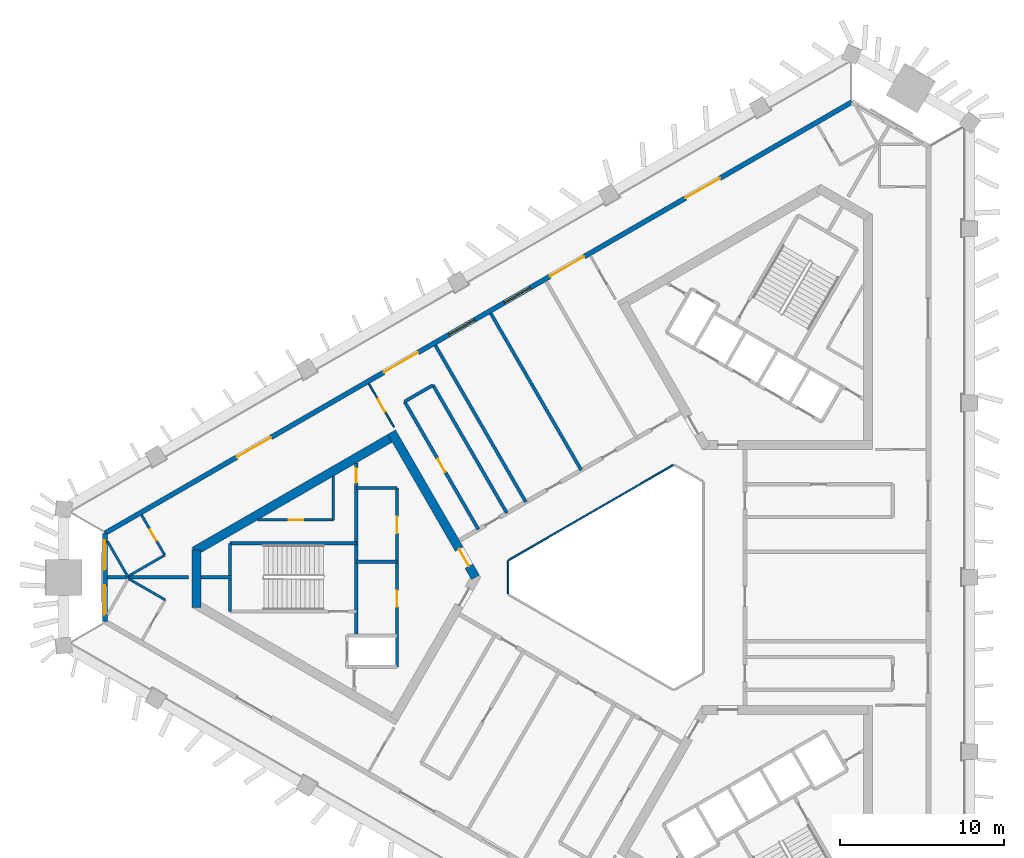
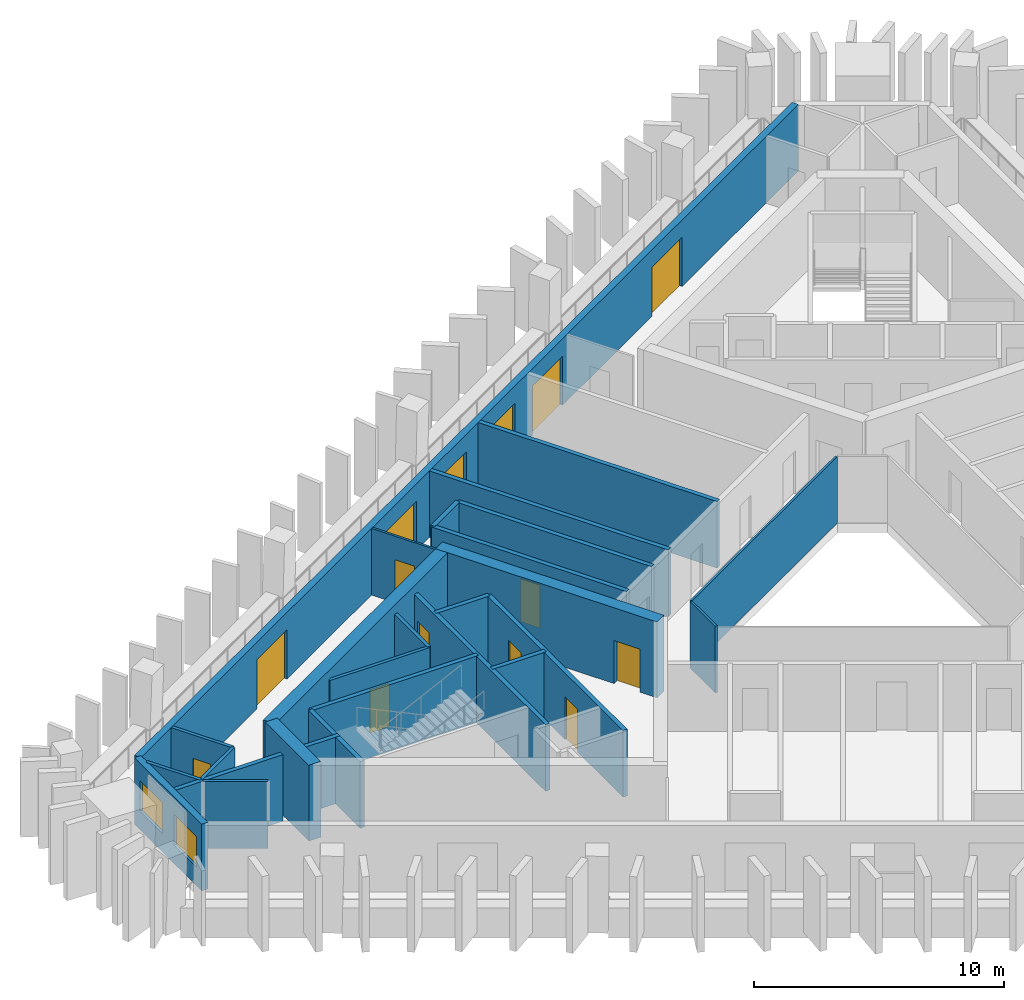
# One storey, part 4 of 9: 27 walls, 12 doors, 4 windows, 16 openings.
"""IFC4 building model written with IfcOpenShell, lengths in metres."""

from ifc_helpers import new_model, si_unit, direction, frame, frame_2d, origin, place, context, subcontext, project, spatial, rectangle, extrude, material, layer, layer_set, type_object, element, fill, save


model = new_model("IFC4")

# Units and contexts
model_context = context("Model", 3, precision=1e-05, world=origin(), true_north=direction((0.0, 1.0)))
body_context = subcontext(model_context, "Body", "Model", "MODEL_VIEW")
ifc_project = project(units=[si_unit("LENGTHUNIT", "METRE"), si_unit("AREAUNIT", "SQUARE_METRE"), si_unit("VOLUMEUNIT", "CUBIC_METRE"), si_unit("PLANEANGLEUNIT", "RADIAN"), si_unit("MASSUNIT", "GRAM", prefix="KILO")], contexts=[model_context])

# Site, building, storey
site_placement = place(None, origin())
site = spatial("IfcSite", under=ifc_project, at=site_placement, CompositionType="ELEMENT")
building_placement = place(site_placement, origin())
building = spatial("IfcBuilding", under=site, at=building_placement, Name="Jabali Bay Hotel Tower and Convention Centre", CompositionType="ELEMENT")
storey_placement = place(building_placement, frame((0.0, 0.0, 189.60009765625)))
storey = spatial("IfcBuildingStorey", under=building, at=storey_placement, Name="L46", CompositionType="ELEMENT", Elevation=189.60009765625)

# Walls
ifc_material_1 = material(Name="Fire-resistant glazing", Category="glass")
ifc_layer_1 = layer(ifc_material_1, 0.10009765625)
ifc_layer_set_1 = layer_set([ifc_layer_1], Name="Fire-resistant glazing")
wall_type_1 = type_object("IfcWallType", Name="Atrium glazed screen 100", PredefinedType="PARTITIONING", material=ifc_layer_set_1)
wall_1_placement = place(storey_placement, frame((77.738037109375, 86.84619140625, 0.0), z_axis=(0.0, 0.0, 1.0), x_axis=(-0.866026658274, -0.499997827154, 0.0)))
element("IfcWall", 1, at=wall_1_placement, inside=storey, type_object=wall_type_1, Name="Atrium screen 3 L46", PredefinedType="PARTITIONING", context=body_context, shape_type="SweptSolid", body=[
    extrude(rectangle(XDim=11.58837890625, YDim=0.10009765625, at=frame_2d((5.794189453125, 0.0))), origin(), (0.0, 0.0, 1.0), 3.25),
])
wall_2_placement = place(storey_placement, frame((67.672119140625, 81.0, 0.0), z_axis=(0.0, 0.0, 1.0), x_axis=(0.0, -1.0, 0.0)))
element("IfcWall", 2, at=wall_2_placement, inside=storey, type_object=wall_type_1, Name="Atrium screen 4 L46", PredefinedType="PARTITIONING", context=body_context, shape_type="SweptSolid", body=[
    extrude(rectangle(XDim=2.0, YDim=0.10009765625, at=frame_2d((1.0, 0.0))), origin(), (0.0, 0.0, 1.0), 3.25),
])
ifc_material_2 = material(Name="Concrete C40", Category="concrete")
ifc_layer_2 = layer(ifc_material_2, 0.199951171875)
ifc_layer_set_2 = layer_set([ifc_layer_2], Name="Concrete C40")
wall_type_2 = type_object("IfcWallType", Name="Core partition wall 200", PredefinedType="PARTITIONING", material=ifc_layer_set_2)
wall_3_placement = place(storey_placement, frame((50.820068359375, 80.0, 0.0), z_axis=(0.0, 0.0, 1.0), x_axis=(-1.0, 0.0, 0.0)))
element("IfcWall", 3, at=wall_3_placement, inside=storey, type_object=wall_type_2, Name="Core wall 0.4 L46", PredefinedType="PARTITIONING", context=body_context, shape_type="SweptSolid", body=[
    extrude(rectangle(XDim=1.873046875, YDim=0.199951171875, at=frame_2d((0.9365234375, 0.0))), origin(), (0.0, 0.0, 1.0), 3.25),
])

# Wall, opening, door
ifc_material_3 = material(Name="Fire-rated board partition")
ifc_layer_3 = layer(ifc_material_3, 0.14990234375)
ifc_layer_set_3 = layer_set([ifc_layer_3], Name="Fire-rated board partition")
wall_type_3 = type_object("IfcWallType", Name="Core room partition 150", PredefinedType="PARTITIONING", material=ifc_layer_set_3)
wall_4_placement = place(storey_placement, frame((57.02001953125, 83.5, 0.0), z_axis=(0.0, 0.0, 1.0), x_axis=(-1.0, 0.0, 0.0)))
wall_4 = element("IfcWall", 4, at=wall_4_placement, inside=storey, type_object=wall_type_3, Name="Core wall 0.1 L46", PredefinedType="PARTITIONING", context=body_context, shape_type="SweptSolid", body=[
    extrude(rectangle(XDim=4.617919921875, YDim=0.14990234375, at=frame_2d((2.30908203125, 0.0))), origin(), (0.0, 0.0, 1.0), 3.25),
])
opening_1_placement = place(wall_4_placement, frame((1.83154296875, 0.0, 0.0)))
opening_1 = element("IfcOpeningElement", 5, at=opening_1_placement, cuts=wall_4, Name="Opening D995", PredefinedType="OPENING", context=body_context, shape_type="SweptSolid", body=[
    extrude(rectangle(XDim=0.89990234375, YDim=2.10009765625, at=frame_2d((0.449951171875, 1.050048828125))), frame((0.0, 0.08544921875, 0.0), z_axis=(0.0, -1.0, 0.0), x_axis=(1.0, 0.0, 0.0)), (0.0, 0.0, 1.0), 0.1708984375),
])
ifc_material_4 = material(Name="Fire-rated steel door", Category="steel")
door_type_1 = type_object("IfcDoorType", Name="Core room door 900 x 2100", OperationType="NOTDEFINED", PredefinedType="NOTDEFINED", material=ifc_material_4)
door_1_placement = place(opening_1_placement, origin())
door_1 = element("IfcDoor", 6, at=door_1_placement, inside=storey, type_object=door_type_1, Name="Core room door D995", OperationType="SINGLE_SWING_LEFT", OverallHeight=2.10009765625, OverallWidth=0.89990234375, PredefinedType="NOTDEFINED", context=body_context, shape_type="SweptSolid", body=[
    extrude(rectangle(XDim=0.89990234375, YDim=2.10009765625, at=frame_2d((0.449951171875, 1.050048828125))), frame((0.0, 0.02490234375, 0.0), z_axis=(0.0, -1.0, 0.0), x_axis=(1.0, 0.0, 0.0)), (0.0, 0.0, 1.0), 0.050048828125),
])
fill(opening_1, door_1)

# Walls
wall_5_placement = place(storey_placement, frame((57.02001953125, 86.166015625, 0.0), z_axis=(0.0, 0.0, 1.0), x_axis=(0.0, -1.0, 0.0)))
element("IfcWall", 7, at=wall_5_placement, inside=storey, type_object=wall_type_3, Name="Core wall 0.12 L46", PredefinedType="PARTITIONING", context=body_context, shape_type="SweptSolid", body=[
    extrude(rectangle(XDim=2.666015625, YDim=0.14990234375, at=frame_2d((1.3330078125, 0.0))), origin(), (0.0, 0.0, 1.0), 3.25),
])
ifc_layer_4 = layer(ifc_material_2, 0.199951171875)
ifc_layer_set_4 = layer_set([ifc_layer_4], Name="Concrete C40")
wall_type_4 = type_object("IfcWallType", Name="Core stair wall 200", PredefinedType="SOLIDWALL", material=ifc_layer_set_4)
wall_6_placement = place(storey_placement, frame((60.89990234375, 85.449951171875, 0.0), z_axis=(0.0, 0.0, 1.0), x_axis=(-1.0, 0.0, 0.0)))
element("IfcWall", 8, at=wall_6_placement, inside=storey, type_object=wall_type_4, Name="Core wall 0.0 L46", PredefinedType="SOLIDWALL", context=body_context, shape_type="SweptSolid", body=[
    extrude(rectangle(XDim=2.47998046875, YDim=0.199951171875, at=frame_2d((1.239990234375, 0.0))), origin(), (0.0, 0.0, 1.0), 3.25),
])
wall_7_placement = place(storey_placement, frame((58.419921875, 82.074951171875, 0.0), z_axis=(0.0, 0.0, 1.0), x_axis=(-1.0, 0.0, 0.0)))
element("IfcWall", 9, at=wall_7_placement, inside=storey, type_object=wall_type_4, Name="Core wall 0.2 L46", PredefinedType="SOLIDWALL", context=body_context, shape_type="SweptSolid", body=[
    extrude(rectangle(XDim=7.699951171875, YDim=0.199951171875, at=frame_2d((3.85009765625, 0.0))), origin(), (0.0, 0.0, 1.0), 3.25),
])
wall_8_placement = place(storey_placement, frame((60.89990234375, 80.949951171875, 0.0), z_axis=(0.0, 0.0, 1.0), x_axis=(-1.0, 0.0, 0.0)))
element("IfcWall", 10, at=wall_8_placement, inside=storey, type_object=wall_type_4, Name="Core wall 0.3 L46", PredefinedType="SOLIDWALL", context=body_context, shape_type="SweptSolid", body=[
    extrude(rectangle(XDim=2.47998046875, YDim=0.199951171875, at=frame_2d((1.239990234375, 0.0))), origin(), (0.0, 0.0, 1.0), 3.25),
])

# Wall, openings, doors
wall_9_placement = place(storey_placement, frame((60.89990234375, 85.449951171875, 0.0), z_axis=(0.0, 0.0, 1.0), x_axis=(0.0, -1.0, 0.0)))
wall_9 = element("IfcWall", 11, at=wall_9_placement, inside=storey, type_object=wall_type_4, Name="Core wall 0.8 L46", PredefinedType="SOLIDWALL", context=body_context, shape_type="SweptSolid", body=[
    extrude(rectangle(XDim=10.89990234375, YDim=0.199951171875, at=frame_2d((5.449951171875, 0.0))), origin(), (0.0, 0.0, 1.0), 3.25),
])
opening_2_placement = place(wall_9_placement, frame((1.75, 0.0, 0.0)))
opening_2 = element("IfcOpeningElement", 12, at=opening_2_placement, cuts=wall_9, Name="Opening D990", PredefinedType="OPENING", context=body_context, shape_type="SweptSolid", body=[
    extrude(rectangle(XDim=1.0, YDim=2.10009765625, at=frame_2d((0.5, 1.050048828125))), frame((0.0, 0.1103515625, 0.0), z_axis=(0.0, -1.0, 0.0), x_axis=(1.0, 0.0, 0.0)), (0.0, 0.0, 1.0), 0.220947265625),
])
opening_3_placement = place(wall_9_placement, frame((6.25, 0.0, 0.0)))
opening_3 = element("IfcOpeningElement", 13, at=opening_3_placement, cuts=wall_9, Name="Opening D991", PredefinedType="OPENING", context=body_context, shape_type="SweptSolid", body=[
    extrude(rectangle(XDim=1.0, YDim=2.10009765625, at=frame_2d((0.5, 1.050048828125))), frame((0.0, 0.1103515625, 0.0), z_axis=(0.0, -1.0, 0.0), x_axis=(1.0, 0.0, 0.0)), (0.0, 0.0, 1.0), 0.220947265625),
])
door_type_2 = type_object("IfcDoorType", Name="Core room door 1000 x 2100", OperationType="NOTDEFINED", PredefinedType="NOTDEFINED", material=ifc_material_4)
door_2_placement = place(opening_2_placement, origin())
door_2 = element("IfcDoor", 14, at=door_2_placement, inside=storey, type_object=door_type_2, Name="Core room door D990", OperationType="SINGLE_SWING_RIGHT", OverallHeight=2.10009765625, OverallWidth=1.0, PredefinedType="NOTDEFINED", context=body_context, shape_type="SweptSolid", body=[
    extrude(rectangle(XDim=1.0, YDim=2.10009765625, at=frame_2d((0.5, 1.050048828125))), frame((0.0, 0.02490234375, 0.0), z_axis=(0.0, -1.0, 0.0), x_axis=(1.0, 0.0, 0.0)), (0.0, 0.0, 1.0), 0.050048828125),
])
fill(opening_2, door_2)
door_3_placement = place(opening_3_placement, origin())
door_3 = element("IfcDoor", 15, at=door_3_placement, inside=storey, type_object=door_type_2, Name="Core room door D991", OperationType="SINGLE_SWING_RIGHT", OverallHeight=2.10009765625, OverallWidth=1.0, PredefinedType="NOTDEFINED", context=body_context, shape_type="SweptSolid", body=[
    extrude(rectangle(XDim=1.0, YDim=2.10009765625, at=frame_2d((0.5, 1.050048828125))), frame((0.0, 0.02490234375, 0.0), z_axis=(0.0, -1.0, 0.0), x_axis=(1.0, 0.0, 0.0)), (0.0, 0.0, 1.0), 0.050048828125),
])
fill(opening_3, door_3)

# Wall, opening, door
wall_10_placement = place(storey_placement, frame((58.419921875, 86.974365234375, 0.0), z_axis=(0.0, 0.0, 1.0), x_axis=(0.0, -1.0, 0.0)))
wall_10 = element("IfcWall", 16, at=wall_10_placement, inside=storey, type_object=wall_type_4, Name="Core wall 0.9 L46", PredefinedType="SOLIDWALL", context=body_context, shape_type="SweptSolid", body=[
    extrude(rectangle(XDim=10.5244140625, YDim=0.199951171875, at=frame_2d((5.26220703125, 0.0))), origin(), (0.0, 0.0, 1.0), 3.25),
])
opening_4_placement = place(wall_10_placement, frame((0.312255859375, 0.0, 0.0)))
opening_4 = element("IfcOpeningElement", 17, at=opening_4_placement, cuts=wall_10, Name="Opening D993", PredefinedType="OPENING", context=body_context, shape_type="SweptSolid", body=[
    extrude(rectangle(XDim=0.89990234375, YDim=2.10009765625, at=frame_2d((0.449951171875, 1.050048828125))), frame((0.0, 0.1103515625, 0.0), z_axis=(0.0, -1.0, 0.0), x_axis=(1.0, 0.0, 0.0)), (0.0, 0.0, 1.0), 0.220947265625),
])
door_type_3 = type_object("IfcDoorType", Name="Vestibule fire door 900 x 2100", OperationType="NOTDEFINED", PredefinedType="NOTDEFINED", material=ifc_material_4)
door_4_placement = place(opening_4_placement, origin())
door_4 = element("IfcDoor", 18, at=door_4_placement, inside=storey, type_object=door_type_3, Name="Vestibule fire door D993", OperationType="SINGLE_SWING_LEFT", OverallHeight=2.10009765625, OverallWidth=0.89990234375, PredefinedType="NOTDEFINED", context=body_context, shape_type="SweptSolid", body=[
    extrude(rectangle(XDim=0.89990234375, YDim=2.10009765625, at=frame_2d((0.449951171875, 1.050048828125))), frame((0.0, 0.02490234375, 0.0), z_axis=(0.0, -1.0, 0.0), x_axis=(1.0, 0.0, 0.0)), (0.0, 0.0, 1.0), 0.050048828125),
])
fill(opening_4, door_4)

# Wall
wall_11_placement = place(storey_placement, frame((50.719970703125, 82.074951171875, 0.0), z_axis=(0.0, 0.0, 1.0), x_axis=(0.0, -1.0, 0.0)))
element("IfcWall", 19, at=wall_11_placement, inside=storey, type_object=wall_type_4, Name="Core wall 0.13 L46", PredefinedType="SOLIDWALL", context=body_context, shape_type="SweptSolid", body=[
    extrude(rectangle(XDim=4.14990234375, YDim=0.199951171875, at=frame_2d((2.074951171875, 0.0))), origin(), (0.0, 0.0, 1.0), 3.25),
])

# Wall, opening, door
ifc_material_5 = material(Name="Concrete C60", Category="concrete")
ifc_layer_5 = layer(ifc_material_5, 0.550048828125)
ifc_layer_set_5 = layer_set([ifc_layer_5], Name="Concrete C60")
wall_type_5 = type_object("IfcWallType", Name="Core wall 550", PredefinedType="SHEAR", material=ifc_layer_set_5)
wall_12_placement = place(storey_placement, frame((65.682373046875, 80.0, 0.0), z_axis=(0.0, 0.0, 1.0), x_axis=(-0.500000202252, 0.866025287014, 0.0)))
wall_12 = element("IfcWall", 20, at=wall_12_placement, inside=storey, type_object=wall_type_5, Name="Core wall 1.1 L46", PredefinedType="SHEAR", context=body_context, shape_type="SweptSolid", body=[
    extrude(rectangle(XDim=10.22119140625, YDim=0.550048828125, at=frame_2d((5.110595703125, 0.0))), origin(), (0.0, 0.0, 1.0), 3.699951171875),
])
opening_5_placement = place(wall_12_placement, frame((0.791259765625, 0.0, 0.0)))
opening_5 = element("IfcOpeningElement", 21, at=opening_5_placement, cuts=wall_12, Name="Opening D988", PredefinedType="OPENING", context=body_context, shape_type="SweptSolid", body=[
    extrude(rectangle(XDim=1.199951171875, YDim=2.10009765625, at=frame_2d((0.60009765625, 1.050048828125))), frame((0.0, 0.28564453125, 0.0), z_axis=(0.0, -1.0, 0.0), x_axis=(1.0, 0.0, 0.0)), (0.0, 0.0, 1.0), 0.571044921875),
])
door_type_4 = type_object("IfcDoorType", Name="Corridor end fire door 1200 x 2100", OperationType="NOTDEFINED", PredefinedType="NOTDEFINED", material=ifc_material_4)
door_5_placement = place(opening_5_placement, origin())
door_5 = element("IfcDoor", 22, at=door_5_placement, inside=storey, type_object=door_type_4, Name="Corridor end fire door D988", OperationType="SINGLE_SWING_RIGHT", OverallHeight=2.10009765625, OverallWidth=1.199951171875, PredefinedType="NOTDEFINED", context=body_context, shape_type="SweptSolid", body=[
    extrude(rectangle(XDim=1.199951171875, YDim=2.10009765625, at=frame_2d((0.60009765625, 1.050048828125))), frame((0.0, 0.02490234375, 0.0), z_axis=(0.0, -1.0, 0.0), x_axis=(1.0, 0.0, 0.0)), (0.0, 0.0, 1.0), 0.050048828125),
])
fill(opening_5, door_5)

# Walls
wall_13_placement = place(storey_placement, frame((60.709228515625, 88.61376953125, 0.0), z_axis=(0.0, 0.0, 1.0), x_axis=(-0.866020164116, -0.500009075263, 0.0)))
element("IfcWall", 23, at=wall_13_placement, inside=storey, type_object=wall_type_5, Name="Core wall 1.2 L46", PredefinedType="SHEAR", context=body_context, shape_type="SweptSolid", body=[
    extrude(rectangle(XDim=14.058349609375, YDim=0.550048828125, at=frame_2d((7.029296875, 0.0))), origin(), (0.0, 0.0, 1.0), 3.699951171875),
])
wall_14_placement = place(storey_placement, frame((48.671875, 81.663818359375, 0.0), z_axis=(0.0, 0.0, 1.0), x_axis=(0.0, -1.0, 0.0)))
element("IfcWall", 24, at=wall_14_placement, inside=storey, type_object=wall_type_5, Name="Core wall 1.3 L46", PredefinedType="SHEAR", context=body_context, shape_type="SweptSolid", body=[
    extrude(rectangle(XDim=3.486572265625, YDim=0.550048828125, at=frame_2d((1.7431640625, 0.0))), origin(), (0.0, 0.0, 1.0), 3.699951171875),
])

# Wall, openings, windows
ifc_layer_6 = layer(ifc_material_2, 0.300048828125)
ifc_layer_set_6 = layer_set([ifc_layer_6], Name="Concrete C40")
wall_type_6 = type_object("IfcWallType", Name="External wall 300", PredefinedType="SOLIDWALL", material=ifc_layer_set_6)
wall_15_placement = place(storey_placement, frame((43.101318359375, 77.311279296875, 0.0), z_axis=(0.0, 0.0, 1.0), x_axis=(0.0, 1.0, 0.0)))
wall_15 = element("IfcWall", 25, at=wall_15_placement, inside=storey, type_object=wall_type_6, Name="External wall west chamfer L46", PredefinedType="SOLIDWALL", context=body_context, shape_type="SweptSolid", body=[
    extrude(rectangle(XDim=5.37744140625, YDim=0.300048828125, at=frame_2d((2.688720703125, 0.0))), origin(), (0.0, 0.0, 1.0), 3.25),
])
opening_6_placement = place(wall_15_placement, frame((3.150146484375, 0.0, 0.89990234375)))
opening_6 = element("IfcOpeningElement", 26, at=opening_6_placement, cuts=wall_15, Name="Opening W1", PredefinedType="OPENING", context=body_context, shape_type="SweptSolid", body=[
    extrude(rectangle(XDim=1.800048828125, YDim=1.5, at=frame_2d((0.89990234375, 0.75))), frame((0.0, 0.16064453125, 0.0), z_axis=(0.0, -1.0, 0.0), x_axis=(1.0, 0.0, 0.0)), (0.0, 0.0, 1.0), 0.321044921875),
])
opening_7_placement = place(wall_15_placement, frame((0.402099609375, 0.0, 0.89990234375)))
opening_7 = element("IfcOpeningElement", 27, at=opening_7_placement, cuts=wall_15, Name="Opening W1", PredefinedType="OPENING", context=body_context, shape_type="SweptSolid", body=[
    extrude(rectangle(XDim=1.800048828125, YDim=1.5, at=frame_2d((0.89990234375, 0.75))), frame((0.0, 0.16064453125, 0.0), z_axis=(0.0, -1.0, 0.0), x_axis=(1.0, 0.0, 0.0)), (0.0, 0.0, 1.0), 0.321044921875),
])
ifc_material_6 = material(Name="Glass", Category="glass")
window_type = type_object("IfcWindowType", Name="Window 1800 x 1500", PartitioningType="SINGLE_PANEL", PredefinedType="WINDOW", material=ifc_material_6)
window_1_placement = place(opening_6_placement, origin())
window_1 = element("IfcWindow", 28, at=window_1_placement, inside=storey, type_object=window_type, Name="Window 4608", OverallHeight=1.5, OverallWidth=1.800048828125, PartitioningType="SINGLE_PANEL", PredefinedType="WINDOW", context=body_context, shape_type="SweptSolid", body=[
    extrude(rectangle(XDim=1.800048828125, YDim=1.5, at=frame_2d((0.89990234375, 0.75))), frame((0.0, 0.030029296875, 0.0), z_axis=(0.0, -1.0, 0.0), x_axis=(1.0, 0.0, 0.0)), (0.0, 0.0, 1.0), 0.06005859375),
])
fill(opening_6, window_1)
window_2_placement = place(opening_7_placement, origin())
window_2 = element("IfcWindow", 29, at=window_2_placement, inside=storey, type_object=window_type, Name="Window 4610", OverallHeight=1.5, OverallWidth=1.800048828125, PartitioningType="SINGLE_PANEL", PredefinedType="WINDOW", context=body_context, shape_type="SweptSolid", body=[
    extrude(rectangle(XDim=1.800048828125, YDim=1.5, at=frame_2d((0.89990234375, 0.75))), frame((0.0, 0.030029296875, 0.0), z_axis=(0.0, -1.0, 0.0), x_axis=(1.0, 0.0, 0.0)), (0.0, 0.0, 1.0), 0.06005859375),
])
fill(opening_7, window_2)

# Wall, openings, doors, windows
wall_16_placement = place(storey_placement, frame((43.101318359375, 82.688720703125, 0.0), z_axis=(0.0, 0.0, 1.0), x_axis=(0.866025007541, 0.500000686313, 0.0)))
wall_16 = element("IfcWall", 30, at=wall_16_placement, inside=storey, type_object=wall_type_6, Name="External wall north-west face L46", PredefinedType="SOLIDWALL", context=body_context, shape_type="SweptSolid", body=[
    extrude(rectangle(XDim=52.5615234375, YDim=0.300048828125, at=frame_2d((26.28076171875, 0.0))), origin(), (0.0, 0.0, 1.0), 3.25),
])
opening_8_placement = place(wall_16_placement, frame((31.316162109375, 0.0, 0.0)))
opening_8 = element("IfcOpeningElement", 31, at=opening_8_placement, cuts=wall_16, Name="Opening SD1", PredefinedType="OPENING", context=body_context, shape_type="SweptSolid", body=[
    extrude(rectangle(XDim=2.39990234375, YDim=2.39990234375, at=frame_2d((1.199951171875, 1.199951171875))), frame((0.0, 0.16064453125, 0.0), z_axis=(0.0, -1.0, 0.0), x_axis=(1.0, 0.0, 0.0)), (0.0, 0.0, 1.0), 0.321044921875),
])
opening_9_placement = place(wall_16_placement, frame((40.8642578125, 0.0, 0.0)))
opening_9 = element("IfcOpeningElement", 32, at=opening_9_placement, cuts=wall_16, Name="Opening SD1", PredefinedType="OPENING", context=body_context, shape_type="SweptSolid", body=[
    extrude(rectangle(XDim=2.39990234375, YDim=2.39990234375, at=frame_2d((1.199951171875, 1.199951171875))), frame((0.0, 0.16064453125, 0.0), z_axis=(0.0, -1.0, 0.0), x_axis=(1.0, 0.0, 0.0)), (0.0, 0.0, 1.0), 0.321044921875),
])
opening_10_placement = place(wall_16_placement, frame((19.624755859375, 0.0, 0.0)))
opening_10 = element("IfcOpeningElement", 33, at=opening_10_placement, cuts=wall_16, Name="Opening SD1", PredefinedType="OPENING", context=body_context, shape_type="SweptSolid", body=[
    extrude(rectangle(XDim=2.39990234375, YDim=2.39990234375, at=frame_2d((1.199951171875, 1.199951171875))), frame((0.0, 0.16064453125, 0.0), z_axis=(0.0, -1.0, 0.0), x_axis=(1.0, 0.0, 0.0)), (0.0, 0.0, 1.0), 0.321044921875),
])
opening_11_placement = place(wall_16_placement, frame((9.27734375, 0.0, 0.0)))
opening_11 = element("IfcOpeningElement", 34, at=opening_11_placement, cuts=wall_16, Name="Opening SD1", PredefinedType="OPENING", context=body_context, shape_type="SweptSolid", body=[
    extrude(rectangle(XDim=2.39990234375, YDim=2.39990234375, at=frame_2d((1.199951171875, 1.199951171875))), frame((0.0, 0.16064453125, 0.0), z_axis=(0.0, -1.0, 0.0), x_axis=(1.0, 0.0, 0.0)), (0.0, 0.0, 1.0), 0.321044921875),
])
opening_12_placement = place(wall_16_placement, frame((28.108642578125, 0.0, 0.89990234375)))
opening_12 = element("IfcOpeningElement", 35, at=opening_12_placement, cuts=wall_16, Name="Opening W1", PredefinedType="OPENING", context=body_context, shape_type="SweptSolid", body=[
    extrude(rectangle(XDim=1.800048828125, YDim=1.5, at=frame_2d((0.89990234375, 0.75))), frame((0.0, 0.16064453125, 0.0), z_axis=(0.0, -1.0, 0.0), x_axis=(1.0, 0.0, 0.0)), (0.0, 0.0, 1.0), 0.321044921875),
])
opening_13_placement = place(wall_16_placement, frame((24.211669921875, 0.0, 0.89990234375)))
opening_13 = element("IfcOpeningElement", 36, at=opening_13_placement, cuts=wall_16, Name="Opening W1", PredefinedType="OPENING", context=body_context, shape_type="SweptSolid", body=[
    extrude(rectangle(XDim=1.800048828125, YDim=1.5, at=frame_2d((0.89990234375, 0.75))), frame((0.0, 0.16064453125, 0.0), z_axis=(0.0, -1.0, 0.0), x_axis=(1.0, 0.0, 0.0)), (0.0, 0.0, 1.0), 0.321044921875),
])
door_type_5 = type_object("IfcDoorType", Name="Loggia sliding door 2400 x 2400", OperationType="NOTDEFINED", PredefinedType="NOTDEFINED", material=ifc_material_6)
door_6_placement = place(opening_8_placement, origin())
door_6 = element("IfcDoor", 37, at=door_6_placement, inside=storey, type_object=door_type_5, Name="Loggia sliding door 4605", OperationType="SLIDING_TO_LEFT", OverallHeight=2.39990234375, OverallWidth=2.39990234375, PredefinedType="NOTDEFINED", context=body_context, shape_type="SweptSolid", body=[
    extrude(rectangle(XDim=2.39990234375, YDim=2.39990234375, at=frame_2d((1.199951171875, 1.199951171875))), frame((0.0, 0.02490234375, 0.0), z_axis=(0.0, -1.0, 0.0), x_axis=(1.0, 0.0, 0.0)), (0.0, 0.0, 1.0), 0.050048828125),
])
fill(opening_8, door_6)
door_7_placement = place(opening_9_placement, origin())
door_7 = element("IfcDoor", 38, at=door_7_placement, inside=storey, type_object=door_type_5, Name="Loggia sliding door 4605", OperationType="SLIDING_TO_RIGHT", OverallHeight=2.39990234375, OverallWidth=2.39990234375, PredefinedType="NOTDEFINED", context=body_context, shape_type="SweptSolid", body=[
    extrude(rectangle(XDim=2.39990234375, YDim=2.39990234375, at=frame_2d((1.199951171875, 1.199951171875))), frame((0.0, 0.02490234375, 0.0), z_axis=(0.0, -1.0, 0.0), x_axis=(1.0, 0.0, 0.0)), (0.0, 0.0, 1.0), 0.050048828125),
])
fill(opening_9, door_7)
door_8_placement = place(opening_10_placement, origin())
door_8 = element("IfcDoor", 39, at=door_8_placement, inside=storey, type_object=door_type_5, Name="Loggia sliding door 4608", OperationType="SLIDING_TO_LEFT", OverallHeight=2.39990234375, OverallWidth=2.39990234375, PredefinedType="NOTDEFINED", context=body_context, shape_type="SweptSolid", body=[
    extrude(rectangle(XDim=2.39990234375, YDim=2.39990234375, at=frame_2d((1.199951171875, 1.199951171875))), frame((0.0, 0.02490234375, 0.0), z_axis=(0.0, -1.0, 0.0), x_axis=(1.0, 0.0, 0.0)), (0.0, 0.0, 1.0), 0.050048828125),
])
fill(opening_10, door_8)
door_9_placement = place(opening_11_placement, origin())
door_9 = element("IfcDoor", 40, at=door_9_placement, inside=storey, type_object=door_type_5, Name="Loggia sliding door 4608", OperationType="SLIDING_TO_RIGHT", OverallHeight=2.39990234375, OverallWidth=2.39990234375, PredefinedType="NOTDEFINED", context=body_context, shape_type="SweptSolid", body=[
    extrude(rectangle(XDim=2.39990234375, YDim=2.39990234375, at=frame_2d((1.199951171875, 1.199951171875))), frame((0.0, 0.02490234375, 0.0), z_axis=(0.0, -1.0, 0.0), x_axis=(1.0, 0.0, 0.0)), (0.0, 0.0, 1.0), 0.050048828125),
])
fill(opening_11, door_9)
window_3_placement = place(opening_12_placement, origin())
window_3 = element("IfcWindow", 41, at=window_3_placement, inside=storey, type_object=window_type, Name="Window 4606", OverallHeight=1.5, OverallWidth=1.800048828125, PartitioningType="SINGLE_PANEL", PredefinedType="WINDOW", context=body_context, shape_type="SweptSolid", body=[
    extrude(rectangle(XDim=1.800048828125, YDim=1.5, at=frame_2d((0.89990234375, 0.75))), frame((0.0, 0.030029296875, 0.0), z_axis=(0.0, -1.0, 0.0), x_axis=(1.0, 0.0, 0.0)), (0.0, 0.0, 1.0), 0.06005859375),
])
fill(opening_12, window_3)
window_4_placement = place(opening_13_placement, origin())
window_4 = element("IfcWindow", 42, at=window_4_placement, inside=storey, type_object=window_type, Name="Window 4607", OverallHeight=1.5, OverallWidth=1.800048828125, PartitioningType="SINGLE_PANEL", PredefinedType="WINDOW", context=body_context, shape_type="SweptSolid", body=[
    extrude(rectangle(XDim=1.800048828125, YDim=1.5, at=frame_2d((0.89990234375, 0.75))), frame((0.0, 0.030029296875, 0.0), z_axis=(0.0, -1.0, 0.0), x_axis=(1.0, 0.0, 0.0)), (0.0, 0.0, 1.0), 0.06005859375),
])
fill(opening_13, window_4)

# Wall, opening, door
ifc_material_7 = material(Name="Plasterboard on steel stud", Category="steel")
ifc_layer_7 = layer(ifc_material_7, 0.10009765625)
ifc_layer_set_7 = layer_set([ifc_layer_7], Name="Plasterboard on steel stud")
wall_type_7 = type_object("IfcWallType", Name="Partition 100 unit", PredefinedType="PARTITIONING", material=ifc_layer_set_7)
wall_17_placement = place(storey_placement, frame((59.185546875, 91.802978515625, 0.0), z_axis=(0.0, 0.0, 1.0), x_axis=(0.499978833458, -0.866037623948, 0.0)))
wall_17 = element("IfcWall", 43, at=wall_17_placement, inside=storey, type_object=wall_type_7, Name="Partition P02 L46 026", PredefinedType="PARTITIONING", context=body_context, shape_type="SweptSolid", body=[
    extrude(rectangle(XDim=3.050048828125, YDim=0.10009765625, at=frame_2d((1.52490234375, 0.0))), origin(), (0.0, 0.0, 1.0), 3.25),
])
opening_14_placement = place(wall_17_placement, frame((1.074951171875, 0.0, 0.0)))
opening_14 = element("IfcOpeningElement", 44, at=opening_14_placement, cuts=wall_17, Name="Opening 4616", PredefinedType="OPENING", context=body_context, shape_type="SweptSolid", body=[
    extrude(rectangle(XDim=0.89990234375, YDim=2.10009765625, at=frame_2d((0.449951171875, 1.050048828125))), frame((0.0, 0.060546875, 0.0), z_axis=(0.0, -1.0, 0.0), x_axis=(1.0, 0.0, 0.0)), (0.0, 0.0, 1.0), 0.12109375),
])
ifc_material_8 = material(Name="Timber", Category="wood")
door_type_6 = type_object("IfcDoorType", Name="Internal door 900 x 2100", OperationType="NOTDEFINED", PredefinedType="NOTDEFINED", material=ifc_material_8)
door_10_placement = place(opening_14_placement, origin())
door_10 = element("IfcDoor", 45, at=door_10_placement, inside=storey, type_object=door_type_6, Name="Door 4616", OperationType="SINGLE_SWING_RIGHT", OverallHeight=2.10009765625, OverallWidth=0.89990234375, PredefinedType="NOTDEFINED", context=body_context, shape_type="SweptSolid", body=[
    extrude(rectangle(XDim=0.89990234375, YDim=2.10009765625, at=frame_2d((0.449951171875, 1.050048828125))), frame((0.0, 0.02490234375, 0.0), z_axis=(0.0, -1.0, 0.0), x_axis=(1.0, 0.0, 0.0)), (0.0, 0.0, 1.0), 0.050048828125),
])
fill(opening_14, door_10)

ifc_layer_8 = layer(ifc_material_7, 0.14990234375)
ifc_layer_set_8 = layer_set([ifc_layer_8], Name="Plasterboard on steel stud")
wall_type_8 = type_object("IfcWallType", Name="Partition 150 wet", PredefinedType="PARTITIONING", material=ifc_layer_set_8)
wall_18_placement = place(storey_placement, frame((45.3291015625, 83.802978515625, 0.0), z_axis=(0.0, 0.0, 1.0), x_axis=(0.500048839472, -0.865997204466, 0.0)))
wall_18 = element("IfcWall", 46, at=wall_18_placement, inside=storey, type_object=wall_type_8, Name="Partition P03 L46 030", PredefinedType="PARTITIONING", context=body_context, shape_type="SweptSolid", body=[
    extrude(rectangle(XDim=2.827392578125, YDim=0.14990234375, at=frame_2d((1.41357421875, 0.0))), origin(), (0.0, 0.0, 1.0), 3.25),
])
opening_15_placement = place(wall_18_placement, frame((1.013916015625, 0.0, 0.0)))
opening_15 = element("IfcOpeningElement", 47, at=opening_15_placement, cuts=wall_18, Name="Opening 4617", PredefinedType="OPENING", context=body_context, shape_type="SweptSolid", body=[
    extrude(rectangle(XDim=0.800048828125, YDim=2.10009765625, at=frame_2d((0.39990234375, 1.050048828125))), frame((0.0, 0.08544921875, 0.0), z_axis=(0.0, -1.0, 0.0), x_axis=(1.0, 0.0, 0.0)), (0.0, 0.0, 1.0), 0.1708984375),
])
door_type_7 = type_object("IfcDoorType", Name="En-suite door 800 x 2100", OperationType="NOTDEFINED", PredefinedType="NOTDEFINED", material=ifc_material_8)
door_11_placement = place(opening_15_placement, origin())
door_11 = element("IfcDoor", 48, at=door_11_placement, inside=storey, type_object=door_type_7, Name="Door 4617", OperationType="SINGLE_SWING_LEFT", OverallHeight=2.10009765625, OverallWidth=0.800048828125, PredefinedType="NOTDEFINED", context=body_context, shape_type="SweptSolid", body=[
    extrude(rectangle(XDim=0.800048828125, YDim=2.10009765625, at=frame_2d((0.39990234375, 1.050048828125))), frame((0.0, 0.02490234375, 0.0), z_axis=(0.0, -1.0, 0.0), x_axis=(1.0, 0.0, 0.0)), (0.0, 0.0, 1.0), 0.050048828125),
])
fill(opening_15, door_11)

# Walls
wall_19_placement = place(storey_placement, frame((46.742919921875, 81.3544921875, 0.0), z_axis=(0.0, 0.0, 1.0), x_axis=(-0.866021400173, -0.500006934395, 0.0)))
element("IfcWall", 49, at=wall_19_placement, inside=storey, type_object=wall_type_8, Name="Partition P03 L46 031", PredefinedType="PARTITIONING", context=body_context, shape_type="SweptSolid", body=[
    extrude(rectangle(XDim=2.60009765625, YDim=0.14990234375, at=frame_2d((1.300048828125, 0.0))), origin(), (0.0, 0.0, 1.0), 3.25),
])
wall_20_placement = place(storey_placement, frame((44.4912109375, 80.054443359375, 0.0), z_axis=(0.0, 0.0, 1.0), x_axis=(-0.500043204492, 0.866000458222, 0.0)))
element("IfcWall", 50, at=wall_20_placement, inside=storey, type_object=wall_type_8, Name="Partition P03 L46 032", PredefinedType="PARTITIONING", context=body_context, shape_type="SweptSolid", body=[
    extrude(rectangle(XDim=2.481689453125, YDim=0.14990234375, at=frame_2d((1.24072265625, 0.0))), origin(), (0.0, 0.0, 1.0), 3.25),
])
wall_21_placement = place(storey_placement, frame((44.525146484375, 79.926025390625, 0.0), z_axis=(0.0, 0.0, 1.0), x_axis=(0.866021400173, -0.500006934395, 0.0)))
element("IfcWall", 51, at=wall_21_placement, inside=storey, type_object=wall_type_8, Name="Partition P03 L46 040", PredefinedType="PARTITIONING", context=body_context, shape_type="SweptSolid", body=[
    extrude(rectangle(XDim=2.60009765625, YDim=0.14990234375, at=frame_2d((1.300048828125, 0.0))), origin(), (0.0, 0.0, 1.0), 3.25),
])
ifc_layer_9 = layer(ifc_material_7, 0.199951171875)
ifc_layer_set_9 = layer_set([ifc_layer_9], Name="Plasterboard on steel stud")
wall_type_9 = type_object("IfcWallType", Name="Partition 200 party", PredefinedType="PARTITIONING", material=ifc_layer_set_9)
for number, where, z_axis, x_axis, name in (
    (52, (66.610595703125, 96.08984375, 0.0), (0.0, 0.0, 1.0), (0.499998385726, -0.866026335784, 0.0), "Partition P01 L46 024"),
    (53, (63.235595703125, 94.14111328125, 0.0), (0.0, 0.0, 1.0), (0.499998385726, -0.866026335784, 0.0), "Partition P01 L46 025"),
):
    element("IfcWall", number, at=place(storey_placement, frame(where, z_axis=z_axis, x_axis=x_axis)), inside=storey, type_object=wall_type_9, Name=name, PredefinedType="PARTITIONING", context=body_context, shape_type="SweptSolid", body=[
        extrude(rectangle(XDim=11.02880859375, YDim=0.199951171875, at=frame_2d((5.514404296875, 0.0))), origin(), (0.0, 0.0, 1.0), 3.25),
    ])

# Wall, opening, door
wall_22_placement = place(storey_placement, frame((65.85888671875, 82.9208984375, 0.0), z_axis=(0.0, 0.0, 1.0), x_axis=(-0.5000018851, 0.866024315419, 0.0)))
wall_22 = element("IfcWall", 54, at=wall_22_placement, inside=storey, type_object=wall_type_9, Name="Partition P01 L46 027", PredefinedType="PARTITIONING", context=body_context, shape_type="SweptSolid", body=[
    extrude(rectangle(XDim=9.0, YDim=0.199951171875, at=frame_2d((4.5, 0.0))), origin(), (0.0, 0.0, 1.0), 3.25),
])
opening_16_placement = place(wall_22_placement, frame((4.050048828125, 0.0, 0.0)))
opening_16 = element("IfcOpeningElement", 55, at=opening_16_placement, cuts=wall_22, Name="Opening 4618", PredefinedType="OPENING", context=body_context, shape_type="SweptSolid", body=[
    extrude(rectangle(XDim=0.89990234375, YDim=2.10009765625, at=frame_2d((0.449951171875, 1.050048828125))), frame((0.0, 0.1103515625, 0.0), z_axis=(0.0, -1.0, 0.0), x_axis=(1.0, 0.0, 0.0)), (0.0, 0.0, 1.0), 0.220947265625),
])
door_12_placement = place(opening_16_placement, origin())
door_12 = element("IfcDoor", 56, at=door_12_placement, inside=storey, type_object=door_type_6, Name="Door 4618", OperationType="SINGLE_SWING_LEFT", OverallHeight=2.10009765625, OverallWidth=0.89990234375, PredefinedType="NOTDEFINED", context=body_context, shape_type="SweptSolid", body=[
    extrude(rectangle(XDim=0.89990234375, YDim=2.10009765625, at=frame_2d((0.449951171875, 1.050048828125))), frame((0.0, 0.02490234375, 0.0), z_axis=(0.0, -1.0, 0.0), x_axis=(1.0, 0.0, 0.0)), (0.0, 0.0, 1.0), 0.050048828125),
])
fill(opening_16, door_12)

# Walls
wall_23_placement = place(storey_placement, frame((61.35888671875, 90.715087890625, 0.0), z_axis=(0.0, 0.0, 1.0), x_axis=(0.866041268327, 0.499972520799, 0.0)))
element("IfcWall", 57, at=wall_23_placement, inside=storey, type_object=wall_type_9, Name="Partition P01 L46 028", PredefinedType="PARTITIONING", context=body_context, shape_type="SweptSolid", body=[
    extrude(rectangle(XDim=2.0, YDim=0.199951171875, at=frame_2d((1.0, 0.0))), origin(), (0.0, 0.0, 1.0), 3.25),
])
wall_24_placement = place(storey_placement, frame((63.091064453125, 91.715087890625, 0.0), z_axis=(0.0, 0.0, 1.0), x_axis=(0.5000018851, -0.866024315419, 0.0)))
element("IfcWall", 58, at=wall_24_placement, inside=storey, type_object=wall_type_9, Name="Partition P01 L46 029", PredefinedType="PARTITIONING", context=body_context, shape_type="SweptSolid", body=[
    extrude(rectangle(XDim=9.0, YDim=0.199951171875, at=frame_2d((4.5, 0.0))), origin(), (0.0, 0.0, 1.0), 3.25),
])
wall_25_placement = place(storey_placement, frame((43.250244140625, 80.0, 0.0), z_axis=(0.0, 0.0, 1.0), x_axis=(1.0, 0.0, 0.0)))
element("IfcWall", 59, at=wall_25_placement, inside=storey, type_object=wall_type_9, Name="Partition P01 L46 033", PredefinedType="PARTITIONING", context=body_context, shape_type="SweptSolid", body=[
    extrude(rectangle(XDim=4.94775390625, YDim=0.199951171875, at=frame_2d((2.473876953125, 0.0))), origin(), (0.0, 0.0, 1.0), 3.25),
])

save(model, "model.ifc")
